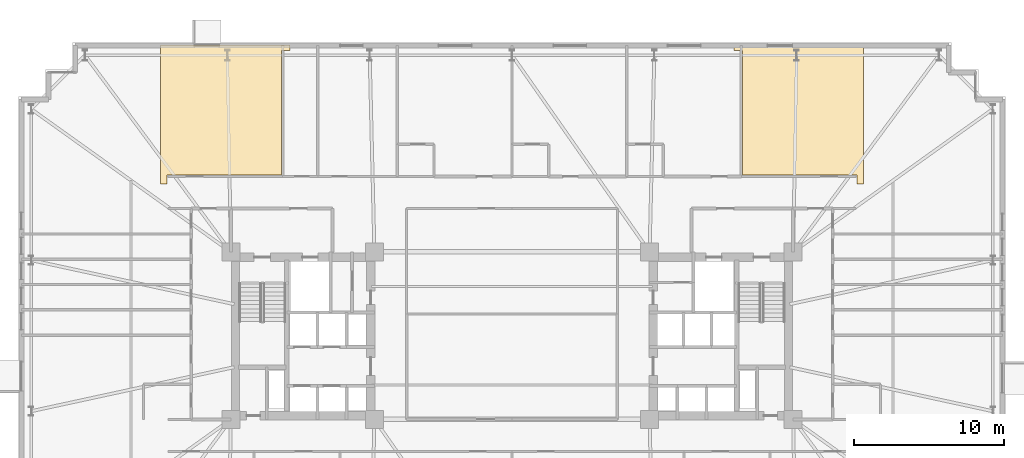
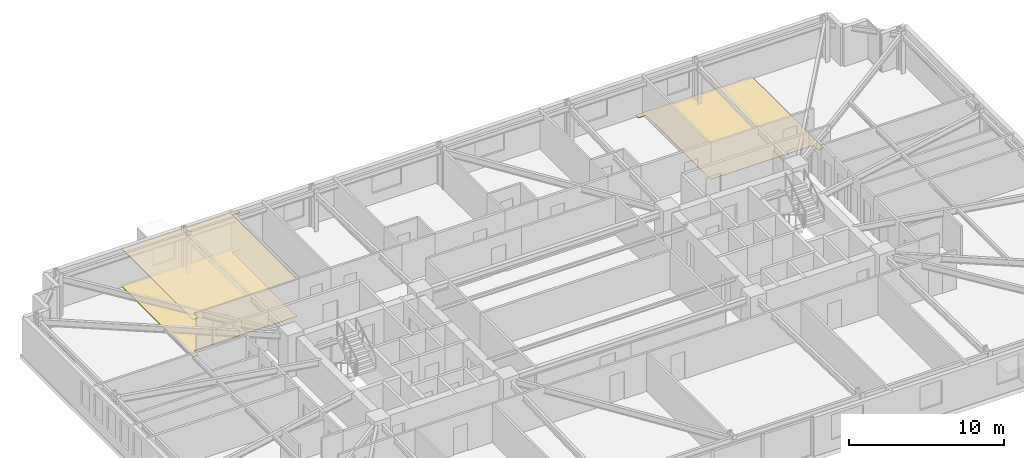
# One storey, part 26 of 26: 3 coverings.
"""IFC4 building model written with IfcOpenShell, lengths in metres."""

from ifc_helpers import new_model, si_unit, direction, frame, origin, place, context, subcontext, project, spatial, polyline, outline, extrude, material, layer, layer_set, type_object, element, save


model = new_model("IFC4")

# Units and contexts
model_context = context("Model", 3, precision=1e-05, world=origin(), true_north=direction((0.0, 1.0)))
body_context = subcontext(model_context, "Body", "Model", "MODEL_VIEW")
ifc_project = project(units=[si_unit("LENGTHUNIT", "METRE"), si_unit("AREAUNIT", "SQUARE_METRE"), si_unit("VOLUMEUNIT", "CUBIC_METRE"), si_unit("PLANEANGLEUNIT", "RADIAN"), si_unit("MASSUNIT", "GRAM", prefix="KILO")], contexts=[model_context])

# Site, building, storey
site_placement = place(None, origin())
site = spatial("IfcSite", under=ifc_project, at=site_placement, CompositionType="ELEMENT")
building_placement = place(site_placement, origin())
building = spatial("IfcBuilding", under=site, at=building_placement, Name="Qobustan Lattice House", CompositionType="ELEMENT")
storey_placement = place(building_placement, frame((0.0, 0.0, 47.10009765625)))
storey = spatial("IfcBuildingStorey", under=building, at=storey_placement, Name="L12", CompositionType="ELEMENT", Elevation=47.10009765625)

# Coverings
ifc_material_1 = material(Name="Perforated gypsum acoustic ceiling", Category="gypsum")
ifc_layer_1 = layer(ifc_material_1, 0.030029296875)
ifc_layer_set_1 = layer_set([ifc_layer_1], Name="Perforated gypsum acoustic ceiling")
covering_type_1 = type_object("IfcCoveringType", Name="COV-ACOUSTIC-CEIL", PredefinedType="CEILING", material=ifc_layer_set_1)
covering_1_placement = place(storey_placement, frame((0.0, 0.0, 2.94482421875)))
element("IfcCovering", 1, at=covering_1_placement, inside=storey, type_object=covering_type_1, Name="L12 Focus study room N1 acoustic ceiling", PredefinedType="CEILING", context=body_context, shape_type="SweptSolid", body=[
    extrude(outline(polyline([(-14.8330078125, 19.429931640625), (-23.5, 19.429931640625), (-23.5, 10.14990234375), (-23.080078125, 10.14990234375), (-23.080078125, 10.72998046875), (-15.4130859375, 10.72998046875), (-15.4130859375, 19.06005859375), (-14.8330078125, 19.06005859375), (-14.8330078125, 19.429931640625)])), origin(), (0.0, 0.0, 1.0), 0.030029296875),
])
ifc_material_2 = material(Name="Honed Absheron stone terrazzo flooring", Category="masonry")
ifc_layer_2 = layer(ifc_material_2, 0.02490234375)
ifc_layer_set_2 = layer_set([ifc_layer_2], Name="Honed Absheron stone terrazzo flooring")
covering_type_2 = type_object("IfcCoveringType", Name="COV-TERRAZZO-FLR", PredefinedType="FLOORING", material=ifc_layer_set_2)
covering_2_placement = place(storey_placement, origin())
element("IfcCovering", 2, at=covering_2_placement, inside=storey, type_object=covering_type_2, Name="L12 Focus study room N1 stone terrazzo flooring", PredefinedType="FLOORING", context=body_context, shape_type="SweptSolid", body=[
    extrude(outline(polyline([(-14.8330078125, 19.429931640625), (-23.5, 19.429931640625), (-23.5, 10.14990234375), (-23.080078125, 10.14990234375), (-23.080078125, 10.72998046875), (-15.4130859375, 10.72998046875), (-15.4130859375, 19.06005859375), (-14.8330078125, 19.06005859375), (-14.8330078125, 19.429931640625)])), origin(), (0.0, 0.0, 1.0), 0.02490234375),
])
covering_3_placement = place(storey_placement, origin())
element("IfcCovering", 3, at=covering_3_placement, inside=storey, type_object=covering_type_2, Name="L12 Focus study room N6 stone terrazzo flooring", PredefinedType="FLOORING", context=body_context, shape_type="SweptSolid", body=[
    extrude(outline(polyline([(14.8330078125, 19.429931640625), (14.8330078125, 19.06005859375), (15.4130859375, 19.06005859375), (15.4130859375, 10.72998046875), (23.080078125, 10.72998046875), (23.080078125, 10.14990234375), (23.5, 10.14990234375), (23.5, 19.429931640625), (14.8330078125, 19.429931640625)])), origin(), (0.0, 0.0, 1.0), 0.02490234375),
])

save(model, "model.ifc")
